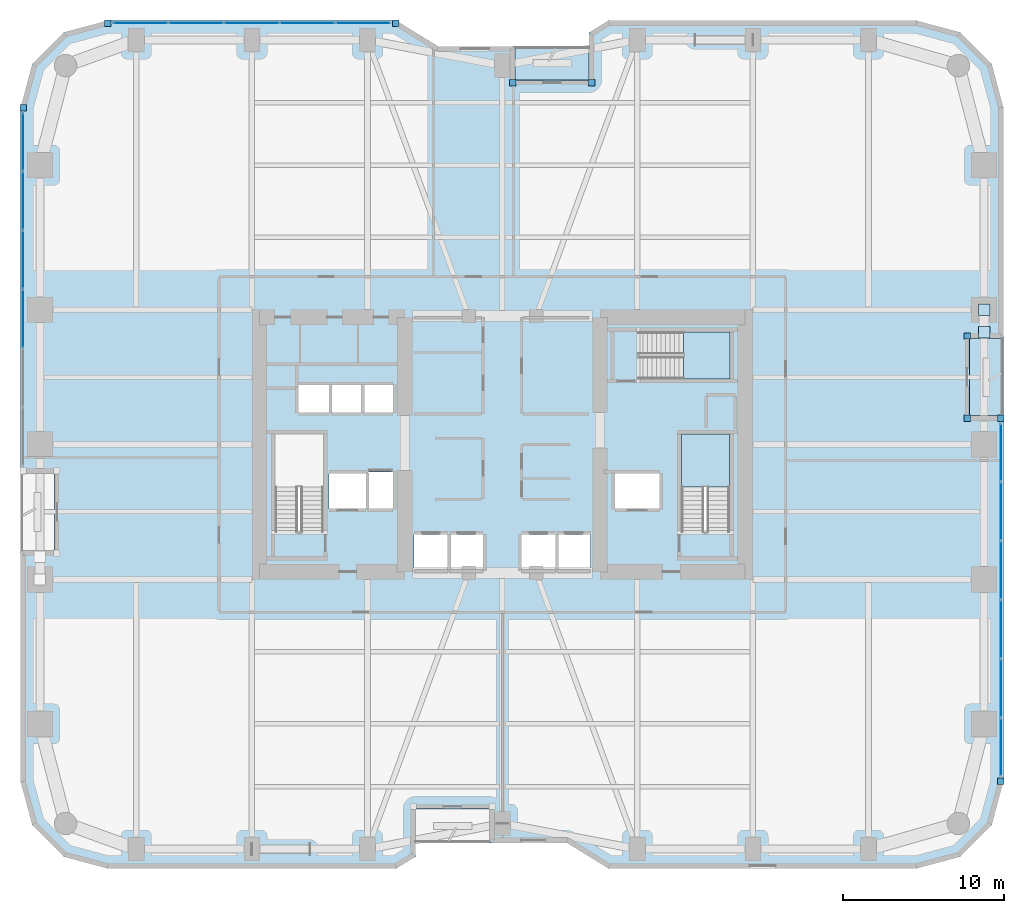
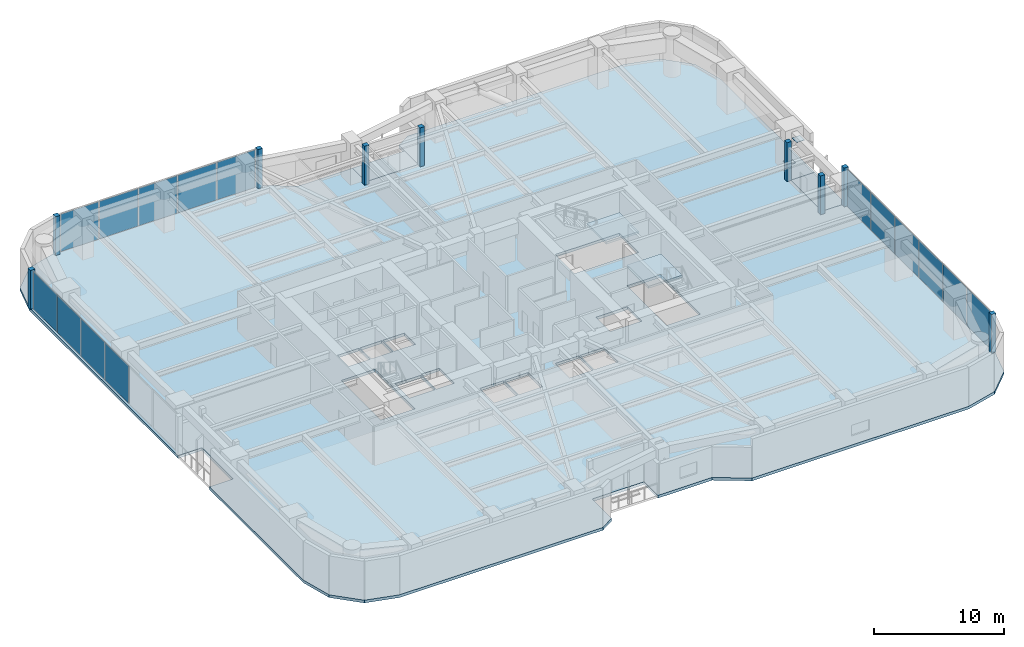
# One storey, part 20 of 29: 26 plates, 5 slabs, 5 elements without a shape of their own.
"""IFC4 building model written with IfcOpenShell, lengths in metres."""

from ifc_helpers import new_model, si_unit, direction, frame, origin, origin_2d, place, context, subcontext, project, spatial, polyline, rectangle, outline, extrude, material, layer, layer_set, type_object, element, aggregate, save


model = new_model("IFC4")

# Units and contexts
model_context = context("Model", 3, precision=1e-05, world=origin(), true_north=direction((0.0, 1.0)))
body_context = subcontext(model_context, "Body", "Model", "MODEL_VIEW")
ifc_project = project(units=[si_unit("LENGTHUNIT", "METRE"), si_unit("AREAUNIT", "SQUARE_METRE"), si_unit("VOLUMEUNIT", "CUBIC_METRE"), si_unit("PLANEANGLEUNIT", "RADIAN"), si_unit("MASSUNIT", "GRAM", prefix="KILO")], contexts=[model_context])

# Site, building, storey
site_placement = place(None, origin())
site = spatial("IfcSite", under=ifc_project, at=site_placement, CompositionType="ELEMENT")
building_placement = place(site_placement, origin())
building = spatial("IfcBuilding", under=site, at=building_placement, Name="Kiyonajd Concourse Tower", CompositionType="ELEMENT")
storey_placement = place(building_placement, frame((0.0, 0.0, 29.39990234375)))
storey = spatial("IfcBuildingStorey", under=building, at=storey_placement, Name="L08", CompositionType="ELEMENT", Elevation=29.39990234375)

# Plates
ifc_material_1 = material(Name="Steel ASTM A572 Grade 50", Category="steel")
ifc_layer_1 = layer(ifc_material_1, 0.028076171875)
ifc_layer_set_1 = layer_set([ifc_layer_1], Name="Steel ASTM A572 Grade 50")
plate_type_1 = type_object("IfcPlateType", Name="PL-CAP-450", PredefinedType="USERDEFINED", material=ifc_layer_set_1)
for number, where, z_axis, x_axis, name in (
    (1, (78.0, 44.40478515625, 0.27587890625), (0.0, 0.0, 1.0), (1.0, 0.0, 0.0), "L08 Hollow Brace End Cap Plate PBE"),
    (2, (78.0, 42.995361328125, 3.2861328125), (0.0, 0.0, 1.0), (1.0, 0.0, 0.0), "L08 Hollow Brace Top Cap Plate PBE"),
):
    element("IfcPlate", number, at=place(storey_placement, frame(where, z_axis=z_axis, x_axis=x_axis)), inside=storey, type_object=plate_type_1, Name=name, ObjectType="CAP PLATE", PredefinedType="USERDEFINED", context=body_context, shape_type="SweptSolid", body=[
        extrude(rectangle(XDim=0.7099609375, YDim=0.7099609375, at=origin_2d()), origin(), (0.0, 0.0, 1.0), 0.028076171875),
    ])

# Curtain wall, plates
ifc_material_2 = material(Name="Thermally Broken Anodised Aluminium", Category="aluminium")
ifc_layer_2 = layer(ifc_material_2, 0.179931640625)
ifc_layer_set_2 = layer_set([ifc_layer_2], Name="Thermally Broken Anodised Aluminium")
curtain_wall_type = type_object("IfcCurtainWallType", Name="CW-SYS-02", PredefinedType="NOTDEFINED", material=ifc_layer_set_2)
curtain_wall_1_placement = place(storey_placement, origin())
curtain_wall_1 = element("IfcCurtainWall", 3, at=curtain_wall_1_placement, inside=storey, type_object=curtain_wall_type, Name="L08 Unitised Curtain Wall CW2", PredefinedType="NOTDEFINED")
ifc_material_3 = material(Name="Double Low-E Insulated Glass", Category="glass")
ifc_layer_3 = layer(ifc_material_3, 0.028076171875)
ifc_layer_set_3 = layer_set([ifc_layer_3], Name="Double Low-E Insulated Glass")
plate_type_2 = type_object("IfcPlateType", Name="PL-CW-VIS28", PredefinedType="CURTAIN_PANEL", material=ifc_layer_set_3)
plate_1_placement = place(storey_placement, frame((18.159912109375, 43.832763671875, 0.06494140625), z_axis=(0.0, 0.0, 1.0), x_axis=(0.0, 1.0, 0.0)))
plate_1 = element("IfcPlate", 4, at=plate_1_placement, type_object=plate_type_2, Name="CW2 panel 3.1", PredefinedType="CURTAIN_PANEL", context=body_context, shape_type="SweptSolid", body=[
    extrude(rectangle(XDim=3.608154296875, YDim=0.028076171875, at=origin_2d()), origin(), (0.0, 0.0, 1.0), 3.510009765625),
])
plate_2_placement = place(storey_placement, frame((18.159912109375, 47.506103515625, 0.06494140625), z_axis=(0.0, 0.0, 1.0), x_axis=(0.0, 1.0, 0.0)))
plate_2 = element("IfcPlate", 5, at=plate_2_placement, type_object=plate_type_2, Name="CW2 panel 4.1", PredefinedType="CURTAIN_PANEL", context=body_context, shape_type="SweptSolid", body=[
    extrude(rectangle(XDim=3.608154296875, YDim=0.028076171875, at=origin_2d()), origin(), (0.0, 0.0, 1.0), 3.510009765625),
])
plate_3_placement = place(storey_placement, frame((18.159912109375, 51.17919921875, 0.06494140625), z_axis=(0.0, 0.0, 1.0), x_axis=(0.0, 1.0, 0.0)))
plate_3 = element("IfcPlate", 6, at=plate_3_placement, type_object=plate_type_2, Name="CW2 panel 5.1", PredefinedType="CURTAIN_PANEL", context=body_context, shape_type="SweptSolid", body=[
    extrude(rectangle(XDim=3.608154296875, YDim=0.028076171875, at=origin_2d()), origin(), (0.0, 0.0, 1.0), 3.510009765625),
])
plate_4_placement = place(storey_placement, frame((18.159912109375, 54.836181640625, 0.06494140625), z_axis=(0.0, 0.0, 1.0), x_axis=(0.0, 1.0, 0.0)))
plate_4 = element("IfcPlate", 7, at=plate_4_placement, type_object=plate_type_2, Name="CW2 panel 6.1", PredefinedType="CURTAIN_PANEL", context=body_context, shape_type="SweptSolid", body=[
    extrude(rectangle(XDim=3.57568359375, YDim=0.028076171875, at=origin_2d()), origin(), (0.0, 0.0, 1.0), 3.510009765625),
])
aggregate(curtain_wall_1, [plate_1, plate_2, plate_3, plate_4])

curtain_wall_2_placement = place(storey_placement, origin())
curtain_wall_2 = element("IfcCurtainWall", 8, at=curtain_wall_2_placement, inside=storey, type_object=curtain_wall_type, Name="L08 Unitised Curtain Wall CW2", PredefinedType="NOTDEFINED")
plate_5_placement = place(storey_placement, frame((25.462646484375, 62.239990234375, 0.06494140625), z_axis=(0.0, 0.0, 1.0), x_axis=(1.0, 0.0, 0.0)))
plate_5 = element("IfcPlate", 9, at=plate_5_placement, type_object=plate_type_2, Name="CW2 panel 1.1", PredefinedType="CURTAIN_PANEL", context=body_context, shape_type="SweptSolid", body=[
    extrude(rectangle(XDim=3.373291015625, YDim=0.028076171875, at=origin_2d()), origin(), (0.0, 0.0, 1.0), 3.510009765625),
])
plate_6_placement = place(storey_placement, frame((28.917236328125, 62.239990234375, 0.06494140625), z_axis=(0.0, 0.0, 1.0), x_axis=(1.0, 0.0, 0.0)))
plate_6 = element("IfcPlate", 10, at=plate_6_placement, type_object=plate_type_2, Name="CW2 panel 2.1", PredefinedType="CURTAIN_PANEL", context=body_context, shape_type="SweptSolid", body=[
    extrude(rectangle(XDim=3.40576171875, YDim=0.028076171875, at=origin_2d()), origin(), (0.0, 0.0, 1.0), 3.510009765625),
])
plate_7_placement = place(storey_placement, frame((32.387939453125, 62.239990234375, 0.06494140625), z_axis=(0.0, 0.0, 1.0), x_axis=(1.0, 0.0, 0.0)))
plate_7 = element("IfcPlate", 11, at=plate_7_placement, type_object=plate_type_2, Name="CW2 panel 3.1", PredefinedType="CURTAIN_PANEL", context=body_context, shape_type="SweptSolid", body=[
    extrude(rectangle(XDim=3.40576171875, YDim=0.028076171875, at=origin_2d()), origin(), (0.0, 0.0, 1.0), 3.510009765625),
])
plate_8_placement = place(storey_placement, frame((35.858642578125, 62.239990234375, 0.06494140625), z_axis=(0.0, 0.0, 1.0), x_axis=(1.0, 0.0, 0.0)))
plate_8 = element("IfcPlate", 12, at=plate_8_placement, type_object=plate_type_2, Name="CW2 panel 4.1", PredefinedType="CURTAIN_PANEL", context=body_context, shape_type="SweptSolid", body=[
    extrude(rectangle(XDim=3.40576171875, YDim=0.028076171875, at=origin_2d()), origin(), (0.0, 0.0, 1.0), 3.510009765625),
])
plate_9_placement = place(storey_placement, frame((39.31298828125, 62.239990234375, 0.06494140625), z_axis=(0.0, 0.0, 1.0), x_axis=(1.0, 0.0, 0.0)))
plate_9 = element("IfcPlate", 13, at=plate_9_placement, type_object=plate_type_2, Name="CW2 panel 5.1", PredefinedType="CURTAIN_PANEL", context=body_context, shape_type="SweptSolid", body=[
    extrude(rectangle(XDim=3.373291015625, YDim=0.028076171875, at=origin_2d()), origin(), (0.0, 0.0, 1.0), 3.510009765625),
])
aggregate(curtain_wall_2, [plate_5, plate_6, plate_7, plate_8, plate_9])

curtain_wall_3_placement = place(storey_placement, origin())
curtain_wall_3 = element("IfcCurtainWall", 14, at=curtain_wall_3_placement, inside=storey, type_object=curtain_wall_type, Name="L08 Unitised Curtain Wall CW2", PredefinedType="NOTDEFINED")
plate_10_placement = place(storey_placement, frame((79.0400390625, 35.4970703125, 0.06494140625), z_axis=(0.0, 0.0, 1.0), x_axis=(0.0, -1.0, 0.0)))
plate_10 = element("IfcPlate", 15, at=plate_10_placement, type_object=plate_type_2, Name="CW2 panel 1.1", PredefinedType="CURTAIN_PANEL", context=body_context, shape_type="SweptSolid", body=[
    extrude(rectangle(XDim=3.57568359375, YDim=0.028076171875, at=origin_2d()), origin(), (0.0, 0.0, 1.0), 3.510009765625),
])
plate_11_placement = place(storey_placement, frame((79.0400390625, 31.84033203125, 0.06494140625), z_axis=(0.0, 0.0, 1.0), x_axis=(0.0, -1.0, 0.0)))
plate_11 = element("IfcPlate", 16, at=plate_11_placement, type_object=plate_type_2, Name="CW2 panel 2.1", PredefinedType="CURTAIN_PANEL", context=body_context, shape_type="SweptSolid", body=[
    extrude(rectangle(XDim=3.608154296875, YDim=0.028076171875, at=origin_2d()), origin(), (0.0, 0.0, 1.0), 3.510009765625),
])
plate_12_placement = place(storey_placement, frame((79.0400390625, 28.167236328125, 0.06494140625), z_axis=(0.0, 0.0, 1.0), x_axis=(0.0, -1.0, 0.0)))
plate_12 = element("IfcPlate", 17, at=plate_12_placement, type_object=plate_type_2, Name="CW2 panel 3.1", PredefinedType="CURTAIN_PANEL", context=body_context, shape_type="SweptSolid", body=[
    extrude(rectangle(XDim=3.608154296875, YDim=0.028076171875, at=origin_2d()), origin(), (0.0, 0.0, 1.0), 3.510009765625),
])
plate_13_placement = place(storey_placement, frame((79.0400390625, 24.493896484375, 0.06494140625), z_axis=(0.0, 0.0, 1.0), x_axis=(0.0, -1.0, 0.0)))
plate_13 = element("IfcPlate", 18, at=plate_13_placement, type_object=plate_type_2, Name="CW2 panel 4.1", PredefinedType="CURTAIN_PANEL", context=body_context, shape_type="SweptSolid", body=[
    extrude(rectangle(XDim=3.608154296875, YDim=0.028076171875, at=origin_2d()), origin(), (0.0, 0.0, 1.0), 3.510009765625),
])
plate_14_placement = place(storey_placement, frame((79.0400390625, 20.82080078125, 0.06494140625), z_axis=(0.0, 0.0, 1.0), x_axis=(0.0, -1.0, 0.0)))
plate_14 = element("IfcPlate", 19, at=plate_14_placement, type_object=plate_type_2, Name="CW2 panel 5.1", PredefinedType="CURTAIN_PANEL", context=body_context, shape_type="SweptSolid", body=[
    extrude(rectangle(XDim=3.608154296875, YDim=0.028076171875, at=origin_2d()), origin(), (0.0, 0.0, 1.0), 3.510009765625),
])
plate_15_placement = place(storey_placement, frame((79.0400390625, 17.163818359375, 0.06494140625), z_axis=(0.0, 0.0, 1.0), x_axis=(0.0, -1.0, 0.0)))
plate_15 = element("IfcPlate", 20, at=plate_15_placement, type_object=plate_type_2, Name="CW2 panel 6.1", PredefinedType="CURTAIN_PANEL", context=body_context, shape_type="SweptSolid", body=[
    extrude(rectangle(XDim=3.57568359375, YDim=0.028076171875, at=origin_2d()), origin(), (0.0, 0.0, 1.0), 3.510009765625),
])
aggregate(curtain_wall_3, [plate_10, plate_11, plate_12, plate_13, plate_14, plate_15])

# Plates
ifc_layer_4 = layer(ifc_material_2, 0.39990234375)
ifc_layer_set_4 = layer_set([ifc_layer_4], Name="Thermally Broken Anodised Aluminium")
plate_type_3 = type_object("IfcPlateType", Name="PL-JMB-400", PredefinedType="USERDEFINED", material=ifc_layer_set_4)
for number, where, z_axis, x_axis, name in (
    (21, (18.159912109375, 56.97900390625, 0.0), (0.0, 0.0, 1.0), (1.0, 0.0, 0.0), "L08 Facade Jamb Closure Plate 04"),
    (22, (23.421142578125, 62.239990234375, 0.0), (0.0, 0.0, 1.0), (1.0, 0.0, 0.0), "L08 Facade Jamb Closure Plate 05"),
    (23, (41.354736328125, 62.239990234375, 0.0), (0.0, 0.0, 1.0), (1.0, 0.0, 0.0), "L08 Facade Jamb Closure Plate 06"),
    (24, (48.639892578125, 58.5400390625, 0.0), (0.0, 0.0, 1.0), (1.0, 0.0, 0.0), "L08 Facade Jamb Closure Plate 07"),
    (25, (53.56005859375, 58.5400390625, 0.0), (0.0, 0.0, 1.0), (1.0, 0.0, 0.0), "L08 Facade Jamb Closure Plate 08"),
    (26, (76.93994140625, 42.760009765625, 0.0), (0.0, 0.0, 1.0), (1.0, 0.0, 0.0), "L08 Facade Jamb Closure Plate 09"),
    (27, (76.93994140625, 37.639892578125, 0.0), (0.0, 0.0, 1.0), (1.0, 0.0, 0.0), "L08 Facade Jamb Closure Plate 10"),
    (28, (79.0400390625, 37.639892578125, 0.0), (0.0, 0.0, 1.0), (1.0, 0.0, 0.0), "L08 Facade Jamb Closure Plate 11"),
    (29, (79.0400390625, 15.02099609375, 0.0), (0.0, 0.0, 1.0), (1.0, 0.0, 0.0), "L08 Facade Jamb Closure Plate 12"),
):
    element("IfcPlate", number, at=place(storey_placement, frame(where, z_axis=z_axis, x_axis=x_axis)), inside=storey, type_object=plate_type_3, Name=name, ObjectType="JAMB PLATE", PredefinedType="USERDEFINED", context=body_context, shape_type="SweptSolid", body=[
        extrude(rectangle(XDim=0.39990234375, YDim=0.39990234375, at=origin_2d()), origin(), (0.0, 0.0, 1.0), 3.639892578125),
    ])

# Stair, slab
ifc_material_4 = material(Name="Concrete C40/50", Category="concrete")
stair_type = type_object("IfcStairType", Name="ST-DLG-22R", PredefinedType="HALF_TURN_STAIR", material=ifc_material_4)
stair_1_placement = place(storey_placement, origin())
stair_1 = element("IfcStair", 30, at=stair_1_placement, inside=storey, type_object=stair_type, Name="L08 Protected Exit Stair ST2", PredefinedType="HALF_TURN_STAIR")
ifc_layer_5 = layer(ifc_material_4, 0.199951171875)
ifc_layer_set_5 = layer_set([ifc_layer_5], Name="Concrete C40/50")
slab_type_1 = type_object("IfcSlabType", Name="SL-LND-200", PredefinedType="LANDING", material=ifc_layer_set_5)
slab_1_placement = place(storey_placement, frame((0.0, 0.0, 1.75)))
slab_1 = element("IfcSlab", 31, at=slab_1_placement, type_object=slab_type_1, Name="ST2 landing 1", PredefinedType="LANDING", context=body_context, shape_type="SweptSolid", body=[
    extrude(outline(polyline([(62.14990234375, 33.35009765625), (62.14990234375, 36.64990234375), (59.14990234375, 36.64990234375), (59.14990234375, 33.35009765625), (62.14990234375, 33.35009765625)])), origin(), (0.0, 0.0, 1.0), 0.2001953125),
])
aggregate(stair_1, [slab_1])

stair_2_placement = place(storey_placement, origin())
stair_2 = element("IfcStair", 32, at=stair_2_placement, inside=storey, type_object=stair_type, Name="L08 Protected Exit Stair ST3", PredefinedType="HALF_TURN_STAIR")
slab_2_placement = place(storey_placement, frame((0.0, 0.0, 1.75)))
slab_2 = element("IfcSlab", 33, at=slab_2_placement, type_object=slab_type_1, Name="ST3 landing 1", PredefinedType="LANDING", context=body_context, shape_type="SweptSolid", body=[
    extrude(outline(polyline([(59.280029296875, 40.080078125), (62.179931640625, 40.080078125), (62.179931640625, 43.02001953125), (59.280029296875, 43.02001953125), (59.280029296875, 40.080078125)])), origin(), (0.0, 0.0, 1.0), 0.2001953125),
])
aggregate(stair_2, [slab_2])

# Slabs
ifc_material_5 = material(Name="Precast concrete C50/60", Category="concrete")
ifc_layer_6 = layer(ifc_material_5, 0.199951171875)
ifc_layer_set_6 = layer_set([ifc_layer_6], Name="Precast concrete C50/60")
slab_type_2 = type_object("IfcSlabType", Name="SL-LOG-200", PredefinedType="FLOOR", material=ifc_layer_set_6)
slab_3_placement = place(storey_placement, frame((0.0, 0.0, -0.199951171875)))
element("IfcSlab", 34, at=slab_3_placement, inside=storey, type_object=slab_type_2, Name="L08 Recessed Engawa Loggia Terrace Slab LOG-N", PredefinedType="FLOOR", context=body_context, shape_type="SweptSolid", body=[
    extrude(outline(polyline([(48.800048828125, 58.699951171875), (53.39990234375, 58.699951171875), (53.39990234375, 60.800048828125), (48.800048828125, 60.800048828125), (48.800048828125, 58.699951171875)])), origin(), (0.0, 0.0, 1.0), 0.199951171875),
])
slab_4_placement = place(storey_placement, frame((0.0, 0.0, -0.199951171875)))
element("IfcSlab", 35, at=slab_4_placement, inside=storey, type_object=slab_type_2, Name="L08 Recessed Engawa Loggia Terrace Slab LOG-E", PredefinedType="FLOOR", context=body_context, shape_type="SweptSolid", body=[
    extrude(outline(polyline([(77.10009765625, 37.800048828125), (79.199951171875, 37.800048828125), (79.199951171875, 42.60009765625), (77.10009765625, 42.60009765625), (77.10009765625, 37.800048828125)])), origin(), (0.0, 0.0, 1.0), 0.199951171875),
])
ifc_layer_7 = layer(ifc_material_4, 0.260009765625)
ifc_layer_set_7 = layer_set([ifc_layer_7], Name="Concrete C40/50")
slab_type_3 = type_object("IfcSlabType", Name="SL-TWR-260", PredefinedType="FLOOR", material=ifc_layer_set_7)
slab_5_placement = place(storey_placement, frame((0.0, 0.0, -0.260009765625)))
element("IfcSlab", 36, at=slab_5_placement, inside=storey, type_object=slab_type_3, Name="L08 Tower Conditioned Floor Slab", PredefinedType="FLOOR", context=body_context, shape_type="SweptSolid", body=[
    extrude(outline(polyline([(18.722900390625, 12.300048828125), (18.0, 15.0), (18.0, 29.39990234375), (20.10009765625, 29.39990234375), (20.10009765625, 34.199951171875), (18.0, 34.199951171875), (18.0, 57.0), (18.722900390625, 59.699951171875), (20.699951171875, 61.677001953125), (23.39990234375, 62.39990234375), (41.39990234375, 62.39990234375), (44.0, 60.800048828125), (48.800048828125, 60.800048828125), (48.800048828125, 58.699951171875), (53.39990234375, 58.699951171875), (53.39990234375, 61.662109375), (54.60009765625, 62.39990234375), (73.800048828125, 62.39990234375), (76.5, 61.677001953125), (78.47705078125, 59.699951171875), (79.199951171875, 57.0), (79.199951171875, 42.60009765625), (77.10009765625, 42.60009765625), (77.10009765625, 37.800048828125), (79.199951171875, 37.800048828125), (79.199951171875, 15.0), (78.47705078125, 12.300048828125), (76.5, 10.322998046875), (73.800048828125, 9.60009765625), (54.60009765625, 9.60009765625), (52.0, 11.199951171875), (47.199951171875, 11.199951171875), (47.199951171875, 13.300048828125), (42.60009765625, 13.300048828125), (42.60009765625, 10.337890625), (41.39990234375, 9.60009765625), (23.39990234375, 9.60009765625), (20.699951171875, 10.322998046875), (18.722900390625, 12.300048828125)]), holes=[polyline([(44.60009765625, 28.199951171875), (42.5, 28.199951171875), (42.5, 30.39990234375), (44.60009765625, 30.39990234375), (44.60009765625, 28.199951171875)]), polyline([(37.199951171875, 32.0), (37.199951171875, 34.199951171875), (39.5, 34.199951171875), (39.5, 32.0), (37.199951171875, 32.0)]), polyline([(39.60009765625, 32.0), (39.60009765625, 34.300048828125), (41.199951171875, 34.300048828125), (41.199951171875, 32.0), (39.60009765625, 32.0)]), polyline([(36.85009765625, 30.550048828125), (33.85009765625, 30.550048828125), (33.85009765625, 36.64990234375), (36.85009765625, 36.64990234375), (36.85009765625, 30.550048828125)]), polyline([(35.300048828125, 38.0), (35.300048828125, 39.699951171875), (37.199951171875, 39.699951171875), (37.199951171875, 38.0), (35.300048828125, 38.0)]), polyline([(37.300048828125, 38.0), (37.300048828125, 39.699951171875), (39.199951171875, 39.699951171875), (39.199951171875, 38.0), (37.300048828125, 38.0)]), polyline([(41.199951171875, 38.0), (39.300048828125, 38.0), (39.300048828125, 39.699951171875), (41.199951171875, 39.699951171875), (41.199951171875, 38.0)]), polyline([(44.699951171875, 28.199951171875), (44.699951171875, 30.39990234375), (46.800048828125, 30.39990234375), (46.800048828125, 28.199951171875), (44.699951171875, 28.199951171875)]), polyline([(49.199951171875, 28.199951171875), (49.199951171875, 30.39990234375), (51.300048828125, 30.39990234375), (51.300048828125, 28.199951171875), (49.199951171875, 28.199951171875)]), polyline([(51.39990234375, 28.199951171875), (51.39990234375, 30.39990234375), (53.5, 30.39990234375), (53.5, 28.199951171875), (51.39990234375, 28.199951171875)]), polyline([(55.0, 32.0), (55.0, 34.199951171875), (57.800048828125, 34.199951171875), (57.800048828125, 32.0), (55.0, 32.0)]), polyline([(59.14990234375, 30.550048828125), (59.14990234375, 36.64990234375), (62.14990234375, 36.64990234375), (62.14990234375, 30.550048828125), (59.14990234375, 30.550048828125)]), polyline([(56.47998046875, 43.02001953125), (62.179931640625, 43.02001953125), (62.179931640625, 40.080078125), (56.47998046875, 40.080078125), (56.47998046875, 43.02001953125)])]), origin(), (0.0, 0.0, 1.0), 0.260009765625),
])

save(model, "model.ifc")
